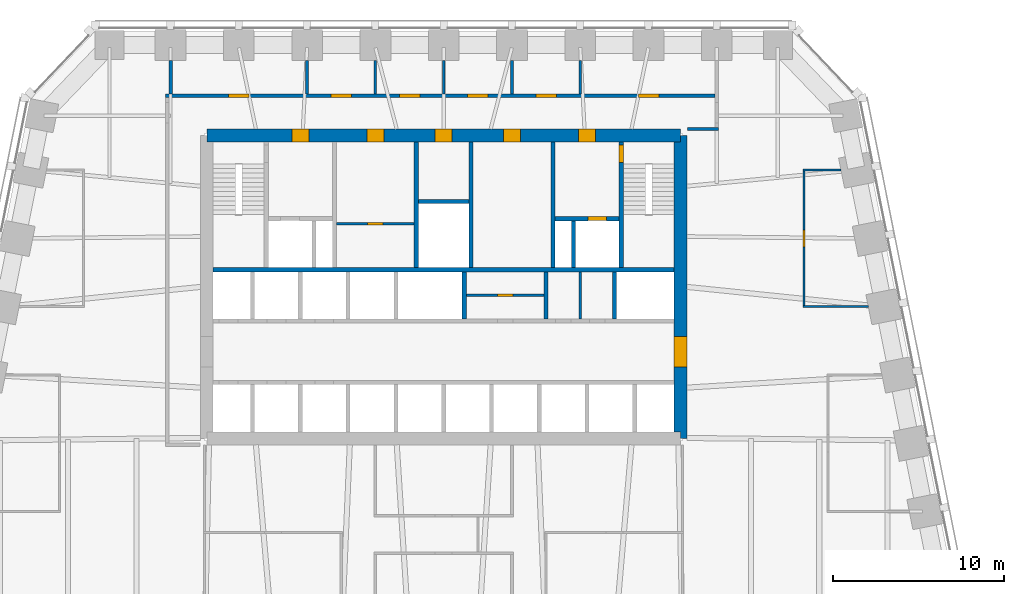
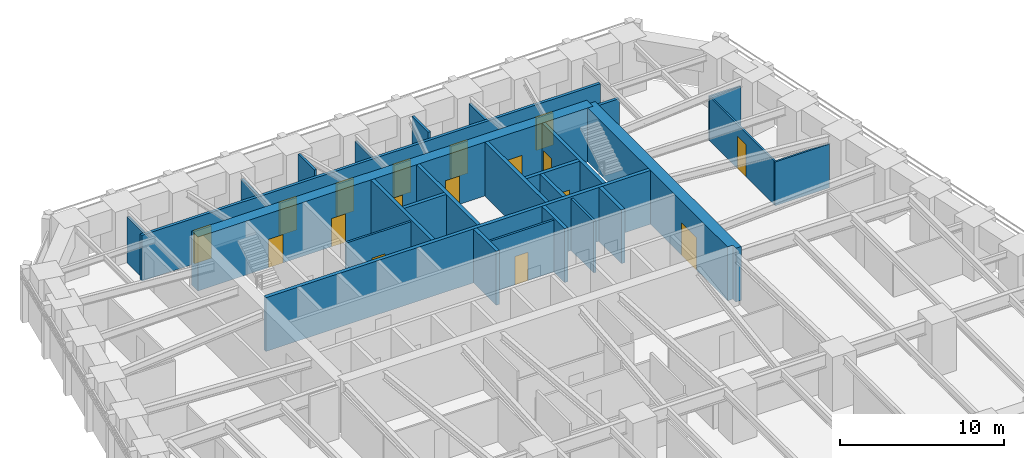
# One storey, part 7 of 10: 27 walls, 17 doors, 17 openings.
"""IFC4 building model written with IfcOpenShell, lengths in metres."""

from ifc_helpers import new_model, si_unit, direction, frame, frame_2d, origin, place, context, subcontext, project, spatial, polyline, rectangle, outline, extrude, material, layer, layer_set, type_object, element, fill, save


model = new_model("IFC4")

# Units and contexts
model_context = context("Model", 3, precision=1e-05, world=origin(), true_north=direction((0.0, 1.0)))
body_context = subcontext(model_context, "Body", "Model", "MODEL_VIEW")
ifc_project = project(units=[si_unit("LENGTHUNIT", "METRE"), si_unit("AREAUNIT", "SQUARE_METRE"), si_unit("VOLUMEUNIT", "CUBIC_METRE"), si_unit("PLANEANGLEUNIT", "RADIAN"), si_unit("MASSUNIT", "GRAM", prefix="KILO")], contexts=[model_context])

# Site, building, storey
site_placement = place(None, origin())
site = spatial("IfcSite", under=ifc_project, at=site_placement, CompositionType="ELEMENT")
building_placement = place(site_placement, origin())
building = spatial("IfcBuilding", under=site, at=building_placement, Name="Isbrekke Arena Tower", CompositionType="ELEMENT")
storey_placement = place(building_placement, frame((0.0, 0.0, 139.0)))
storey = spatial("IfcBuildingStorey", under=building, at=storey_placement, Name="L31", CompositionType="ELEMENT", Elevation=139.0)

# Wall, opening, door
ifc_material_1 = material(Name="Concrete B55 (C55/67)", Category="concrete")
ifc_layer_1 = layer(ifc_material_1, 0.75)
ifc_layer_set_1 = layer_set([ifc_layer_1], Name="CW3 CORE WALL 750")
wall_type_1 = type_object("IfcWallType", Name="CW3 CORE WALL 750", PredefinedType="SHEAR", material=ifc_layer_set_1)
wall_1_placement = place(storey_placement, frame((13.875, 6.125, 0.0), z_axis=(0.0, 0.0, 1.0), x_axis=(0.0, 1.0, 0.0)))
wall_1 = element("IfcWall", 1, at=wall_1_placement, inside=storey, type_object=wall_type_1, Name="Core wall E L31", PredefinedType="SHEAR", context=body_context, shape_type="SweptSolid", body=[
    extrude(outline(polyline([(0.0, -0.375), (17.75, -0.375), (17.75, 0.0), (17.375, 0.0), (17.375, 0.375), (0.375, 0.375), (0.375, 0.0), (0.0, 0.0), (0.0, -0.375)])), origin(), (0.0, 0.0, 1.0), 4.0),
])
opening_1_placement = place(wall_1_placement, frame((4.175048828125, 0.0, 0.0)))
opening_1 = element("IfcOpeningElement", 2, at=opening_1_placement, cuts=wall_1, Name="Opening D1", PredefinedType="OPENING", context=body_context, shape_type="SweptSolid", body=[
    extrude(rectangle(XDim=1.800048828125, YDim=2.39990234375, at=frame_2d((0.89990234375, 1.199951171875))), frame((0.0, 0.389892578125, 0.0), z_axis=(0.0, -1.0, 0.0), x_axis=(1.0, 0.0, 0.0)), (0.0, 0.0, 1.0), 0.77978515625),
])
ifc_material_2 = material(Name="Steel-framed glazed fire door", Category="steel")
door_type_1 = type_object("IfcDoorType", Name="D1 CORE LOBBY DOOR 1800 x 2400", OperationType="DOUBLE_DOOR_SINGLE_SWING", PredefinedType="DOOR", material=ifc_material_2)
door_1_placement = place(opening_1_placement, origin())
door_1 = element("IfcDoor", 3, at=door_1_placement, inside=storey, type_object=door_type_1, Name="D1 lift lobby door east L31", OperationType="DOUBLE_DOOR_SINGLE_SWING", OverallHeight=2.39990234375, OverallWidth=1.800048828125, PredefinedType="DOOR", context=body_context, shape_type="SweptSolid", body=[
    extrude(rectangle(XDim=1.800048828125, YDim=2.39990234375, at=frame_2d((0.89990234375, 1.199951171875))), frame((0.0, 0.374755859375, 0.0), z_axis=(0.0, -1.0, 0.0), x_axis=(1.0, 0.0, 0.0)), (0.0, 0.0, 1.0), 0.74951171875),
])
fill(opening_1, door_1)

# Wall, openings, doors
wall_2_placement = place(storey_placement, frame((13.875, 23.875, 0.0), z_axis=(0.0, 0.0, 1.0), x_axis=(-1.0, 0.0, 0.0)))
wall_2 = element("IfcWall", 4, at=wall_2_placement, inside=storey, type_object=wall_type_1, Name="Core wall N L31", PredefinedType="SHEAR", context=body_context, shape_type="SweptSolid", body=[
    extrude(rectangle(XDim=27.75, YDim=0.75, at=frame_2d((13.875, 0.0))), origin(), (0.0, 0.0, 1.0), 4.0),
])
opening_2_placement = place(wall_2_placement, frame((21.77490234375, 0.0, 0.0)))
opening_2 = element("IfcOpeningElement", 5, at=opening_2_placement, cuts=wall_2, Name="Opening D3", PredefinedType="OPENING", context=body_context, shape_type="SweptSolid", body=[
    extrude(rectangle(XDim=1.0, YDim=2.10009765625, at=frame_2d((0.5, 1.050048828125))), frame((0.0, 0.389892578125, 0.0), z_axis=(0.0, -1.0, 0.0), x_axis=(1.0, 0.0, 0.0)), (0.0, 0.0, 1.0), 0.77978515625),
])
opening_3_placement = place(wall_2_placement, frame((4.97509765625, 0.0, 0.0)))
opening_3 = element("IfcOpeningElement", 6, at=opening_3_placement, cuts=wall_2, Name="Opening D3", PredefinedType="OPENING", context=body_context, shape_type="SweptSolid", body=[
    extrude(rectangle(XDim=1.0, YDim=2.10009765625, at=frame_2d((0.5, 1.050048828125))), frame((0.0, 0.389892578125, 0.0), z_axis=(0.0, -1.0, 0.0), x_axis=(1.0, 0.0, 0.0)), (0.0, 0.0, 1.0), 0.77978515625),
])
opening_4_placement = place(wall_2_placement, frame((17.375, 0.0, 0.0)))
opening_4 = element("IfcOpeningElement", 7, at=opening_4_placement, cuts=wall_2, Name="Opening D4", PredefinedType="OPENING", context=body_context, shape_type="SweptSolid", body=[
    extrude(rectangle(XDim=1.0, YDim=2.10009765625, at=frame_2d((0.5, 1.050048828125))), frame((0.0, 0.389892578125, 0.0), z_axis=(0.0, -1.0, 0.0), x_axis=(1.0, 0.0, 0.0)), (0.0, 0.0, 1.0), 0.77978515625),
])
opening_5_placement = place(wall_2_placement, frame((13.375, 0.0, 0.0)))
opening_5 = element("IfcOpeningElement", 8, at=opening_5_placement, cuts=wall_2, Name="Opening D4", PredefinedType="OPENING", context=body_context, shape_type="SweptSolid", body=[
    extrude(rectangle(XDim=1.0, YDim=2.10009765625, at=frame_2d((0.5, 1.050048828125))), frame((0.0, 0.389892578125, 0.0), z_axis=(0.0, -1.0, 0.0), x_axis=(1.0, 0.0, 0.0)), (0.0, 0.0, 1.0), 0.77978515625),
])
opening_6_placement = place(wall_2_placement, frame((9.375, 0.0, 0.0)))
opening_6 = element("IfcOpeningElement", 9, at=opening_6_placement, cuts=wall_2, Name="Opening D4", PredefinedType="OPENING", context=body_context, shape_type="SweptSolid", body=[
    extrude(rectangle(XDim=1.0, YDim=2.10009765625, at=frame_2d((0.5, 1.050048828125))), frame((0.0, 0.389892578125, 0.0), z_axis=(0.0, -1.0, 0.0), x_axis=(1.0, 0.0, 0.0)), (0.0, 0.0, 1.0), 0.77978515625),
])
ifc_material_3 = material(Name="Steel fire door", Category="steel")
door_type_2 = type_object("IfcDoorType", Name="D3 FIRE LOBBY DOOR 1000 x 2100", OperationType="SINGLE_SWING_RIGHT", PredefinedType="DOOR", material=ifc_material_3)
door_2_placement = place(opening_2_placement, origin())
door_2 = element("IfcDoor", 10, at=door_2_placement, inside=storey, type_object=door_type_2, Name="D3 fire-fighting lobby door L31", OperationType="SINGLE_SWING_RIGHT", OverallHeight=2.10009765625, OverallWidth=1.0, PredefinedType="DOOR", context=body_context, shape_type="SweptSolid", body=[
    extrude(rectangle(XDim=1.0, YDim=2.10009765625, at=frame_2d((0.5, 1.050048828125))), frame((0.0, 0.374755859375, 0.0), z_axis=(0.0, -1.0, 0.0), x_axis=(1.0, 0.0, 0.0)), (0.0, 0.0, 1.0), 0.74951171875),
])
fill(opening_2, door_2)
door_3_placement = place(opening_3_placement, origin())
door_3 = element("IfcDoor", 11, at=door_3_placement, inside=storey, type_object=door_type_2, Name="D3 fire-fighting lobby door L31", OperationType="SINGLE_SWING_RIGHT", OverallHeight=2.10009765625, OverallWidth=1.0, PredefinedType="DOOR", context=body_context, shape_type="SweptSolid", body=[
    extrude(rectangle(XDim=1.0, YDim=2.10009765625, at=frame_2d((0.5, 1.050048828125))), frame((0.0, 0.374755859375, 0.0), z_axis=(0.0, -1.0, 0.0), x_axis=(1.0, 0.0, 0.0)), (0.0, 0.0, 1.0), 0.74951171875),
])
fill(opening_3, door_3)
ifc_material_4 = material(Name="Timber door", Category="wood")
door_type_3 = type_object("IfcDoorType", Name="D4 WC DOOR 1000 x 2100", OperationType="SINGLE_SWING_LEFT", PredefinedType="DOOR", material=ifc_material_4)
door_4_placement = place(opening_4_placement, origin())
door_4 = element("IfcDoor", 12, at=door_4_placement, inside=storey, type_object=door_type_3, Name="D4 wc female door L31", OperationType="SINGLE_SWING_LEFT", OverallHeight=2.10009765625, OverallWidth=1.0, PredefinedType="DOOR", context=body_context, shape_type="SweptSolid", body=[
    extrude(rectangle(XDim=1.0, YDim=2.10009765625, at=frame_2d((0.5, 1.050048828125))), frame((0.0, 0.374755859375, 0.0), z_axis=(0.0, -1.0, 0.0), x_axis=(1.0, 0.0, 0.0)), (0.0, 0.0, 1.0), 0.74951171875),
])
fill(opening_4, door_4)
door_5_placement = place(opening_5_placement, origin())
door_5 = element("IfcDoor", 13, at=door_5_placement, inside=storey, type_object=door_type_3, Name="D4 accessible wc door L31", OperationType="SINGLE_SWING_LEFT", OverallHeight=2.10009765625, OverallWidth=1.0, PredefinedType="DOOR", context=body_context, shape_type="SweptSolid", body=[
    extrude(rectangle(XDim=1.0, YDim=2.10009765625, at=frame_2d((0.5, 1.050048828125))), frame((0.0, 0.374755859375, 0.0), z_axis=(0.0, -1.0, 0.0), x_axis=(1.0, 0.0, 0.0)), (0.0, 0.0, 1.0), 0.74951171875),
])
fill(opening_5, door_5)
door_6_placement = place(opening_6_placement, origin())
door_6 = element("IfcDoor", 14, at=door_6_placement, inside=storey, type_object=door_type_3, Name="D4 wc male door L31", OperationType="SINGLE_SWING_LEFT", OverallHeight=2.10009765625, OverallWidth=1.0, PredefinedType="DOOR", context=body_context, shape_type="SweptSolid", body=[
    extrude(rectangle(XDim=1.0, YDim=2.10009765625, at=frame_2d((0.5, 1.050048828125))), frame((0.0, 0.374755859375, 0.0), z_axis=(0.0, -1.0, 0.0), x_axis=(1.0, 0.0, 0.0)), (0.0, 0.0, 1.0), 0.74951171875),
])
fill(opening_6, door_6)

# Walls
ifc_material_5 = material(Name="Concrete B45 (C45/55)", Category="concrete")
ifc_layer_2 = layer(ifc_material_5, 0.25)
ifc_layer_set_2 = layer_set([ifc_layer_2], Name="CW6 SHAFT WALL 250")
wall_type_2 = type_object("IfcWallType", Name="CW6 SHAFT WALL 250", PredefinedType="SHEAR", material=ifc_layer_set_2)
wall_3_placement = place(storey_placement, frame((-13.5, 16.0, 0.0), z_axis=(0.0, 0.0, 1.0), x_axis=(1.0, 0.0, 0.0)))
element("IfcWall", 15, at=wall_3_placement, inside=storey, type_object=wall_type_2, Name="Core wall NB L31", PredefinedType="SHEAR", context=body_context, shape_type="SweptSolid", body=[
    extrude(rectangle(XDim=27.0, YDim=0.25, at=frame_2d((13.5, 0.0))), origin(), (0.0, 0.0, 1.0), 4.0),
])
for number, where, z_axis, x_axis, name in (
    (16, (1.199951171875, 13.125, 0.0), (0.0, 0.0, 1.0), (0.0, 1.0, 0.0), "Core wall SN05 L31"),
    (17, (6.0, 13.125, 0.0), (0.0, 0.0, 1.0), (0.0, 1.0, 0.0), "Core wall SN06 L31"),
    (18, (10.0, 13.125, 0.0), (0.0, 0.0, 1.0), (0.0, 1.0, 0.0), "Core wall SN07 L31"),
):
    element("IfcWall", number, at=place(storey_placement, frame(where, z_axis=z_axis, x_axis=x_axis)), inside=storey, type_object=wall_type_2, Name=name, PredefinedType="SHEAR", context=body_context, shape_type="SweptSolid", body=[
        extrude(rectangle(XDim=2.75, YDim=0.25, at=frame_2d((1.375, 0.0))), origin(), (0.0, 0.0, 1.0), 4.0),
    ])
for number, where, z_axis, x_axis, name in (
    (19, (-1.60009765625, 16.125, 0.0), (0.0, 0.0, 1.0), (0.0, 1.0, 0.0), "Core wall NV03 L31"),
    (20, (1.60009765625, 16.125, 0.0), (0.0, 0.0, 1.0), (0.0, 1.0, 0.0), "Core wall NV04 L31"),
    (21, (6.39990234375, 16.125, 0.0), (0.0, 0.0, 1.0), (0.0, 1.0, 0.0), "Core wall NV05 L31"),
):
    element("IfcWall", number, at=place(storey_placement, frame(where, z_axis=z_axis, x_axis=x_axis)), inside=storey, type_object=wall_type_2, Name=name, PredefinedType="SHEAR", context=body_context, shape_type="SweptSolid", body=[
        extrude(rectangle(XDim=7.375, YDim=0.25, at=frame_2d((3.6875, 0.0))), origin(), (0.0, 0.0, 1.0), 4.0),
    ])

# Wall, opening, door
wall_4_placement = place(storey_placement, frame((10.39990234375, 16.125, 0.0), z_axis=(0.0, 0.0, 1.0), x_axis=(0.0, 1.0, 0.0)))
wall_4 = element("IfcWall", 22, at=wall_4_placement, inside=storey, type_object=wall_type_2, Name="Core wall NV06 L31", PredefinedType="SHEAR", context=body_context, shape_type="SweptSolid", body=[
    extrude(rectangle(XDim=7.375, YDim=0.25, at=frame_2d((3.6875, 0.0))), origin(), (0.0, 0.0, 1.0), 4.0),
])
opening_7_placement = place(wall_4_placement, frame((6.175048828125, 0.0, 0.0)))
opening_7 = element("IfcOpeningElement", 23, at=opening_7_placement, cuts=wall_4, Name="Opening D2", PredefinedType="OPENING", context=body_context, shape_type="SweptSolid", body=[
    extrude(rectangle(XDim=1.0, YDim=2.10009765625, at=frame_2d((0.5, 1.050048828125))), frame((0.0, 0.139892578125, 0.0), z_axis=(0.0, -1.0, 0.0), x_axis=(1.0, 0.0, 0.0)), (0.0, 0.0, 1.0), 0.27978515625),
])
ifc_material_6 = material(Name="Steel fire door", Category="steel")
door_type_4 = type_object("IfcDoorType", Name="D2 STAIR DOOR 1000 x 2100", OperationType="SINGLE_SWING_LEFT", PredefinedType="DOOR", material=ifc_material_6)
door_7_placement = place(opening_7_placement, origin())
door_7 = element("IfcDoor", 24, at=door_7_placement, inside=storey, type_object=door_type_4, Name="D2 stair door ST2 L31", OperationType="SINGLE_SWING_LEFT", OverallHeight=2.10009765625, OverallWidth=1.0, PredefinedType="DOOR", context=body_context, shape_type="SweptSolid", body=[
    extrude(rectangle(XDim=1.0, YDim=2.10009765625, at=frame_2d((0.5, 1.050048828125))), frame((0.0, 0.124755859375, 0.0), z_axis=(0.0, -1.0, 0.0), x_axis=(1.0, 0.0, 0.0)), (0.0, 0.0, 1.0), 0.24951171875),
])
fill(opening_7, door_7)

wall_5_placement = place(storey_placement, frame((6.52490234375, 19.0, 0.0), z_axis=(0.0, 0.0, 1.0), x_axis=(1.0, 0.0, 0.0)))
wall_5 = element("IfcWall", 25, at=wall_5_placement, inside=storey, type_object=wall_type_2, Name="Core wall NFE L31", PredefinedType="SHEAR", context=body_context, shape_type="SweptSolid", body=[
    extrude(rectangle(XDim=3.75, YDim=0.25, at=frame_2d((1.875, 0.0))), origin(), (0.0, 0.0, 1.0), 4.0),
])
opening_8_placement = place(wall_5_placement, frame((1.925048828125, 0.0, 0.0)))
opening_8 = element("IfcOpeningElement", 26, at=opening_8_placement, cuts=wall_5, Name="Opening LD2", PredefinedType="OPENING", context=body_context, shape_type="SweptSolid", body=[
    extrude(rectangle(XDim=1.10009765625, YDim=2.10009765625, at=frame_2d((0.550048828125, 1.050048828125))), frame((0.0, 0.139892578125, 0.0), z_axis=(0.0, -1.0, 0.0), x_axis=(1.0, 0.0, 0.0)), (0.0, 0.0, 1.0), 0.27978515625),
])
ifc_material_7 = material(Name="Stainless steel lift landing door", Category="steel")
door_type_5 = type_object("IfcDoorType", Name="LD2 FIRE-FIGHTING LIFT LANDING DOOR 1100 x 2100", OperationType="SLIDING_TO_RIGHT", PredefinedType="DOOR", material=ifc_material_7)
door_8_placement = place(opening_8_placement, origin())
door_8 = element("IfcDoor", 27, at=door_8_placement, inside=storey, type_object=door_type_5, Name="LD2 lift landing door LF L31", OperationType="SLIDING_TO_RIGHT", OverallHeight=2.10009765625, OverallWidth=1.10009765625, PredefinedType="DOOR", context=body_context, shape_type="SweptSolid", body=[
    extrude(rectangle(XDim=1.10009765625, YDim=2.10009765625, at=frame_2d((0.550048828125, 1.050048828125))), frame((0.0, 0.124755859375, 0.0), z_axis=(0.0, -1.0, 0.0), x_axis=(1.0, 0.0, 0.0)), (0.0, 0.0, 1.0), 0.24951171875),
])
fill(opening_8, door_8)

# Walls
wall_6_placement = place(storey_placement, frame((7.60009765625, 16.125, 0.0), z_axis=(0.0, 0.0, 1.0), x_axis=(0.0, 1.0, 0.0)))
element("IfcWall", 28, at=wall_6_placement, inside=storey, type_object=wall_type_2, Name="Core wall NFS2 L31", PredefinedType="SHEAR", context=body_context, shape_type="SweptSolid", body=[
    extrude(rectangle(XDim=2.75, YDim=0.25, at=frame_2d((1.375, 0.0))), origin(), (0.0, 0.0, 1.0), 4.0),
])
wall_7_placement = place(storey_placement, frame((-1.47509765625, 20.0, 0.0), z_axis=(0.0, 0.0, 1.0), x_axis=(1.0, 0.0, 0.0)))
element("IfcWall", 29, at=wall_7_placement, inside=storey, type_object=wall_type_2, Name="Core wall NWC L31", PredefinedType="SHEAR", context=body_context, shape_type="SweptSolid", body=[
    extrude(rectangle(XDim=2.9501953125, YDim=0.25, at=frame_2d((1.47509765625, 0.0))), origin(), (0.0, 0.0, 1.0), 4.0),
])
ifc_material_8 = material(Name="Gypsum board partition on steel studs", Category="steel")
ifc_layer_3 = layer(ifc_material_8, 0.14990234375)
ifc_layer_set_3 = layer_set([ifc_layer_3], Name="IW1 PARTITION 150")
wall_type_3 = type_object("IfcWallType", Name="IW1 PARTITION 150", PredefinedType="PARTITIONING", material=ifc_layer_set_3)
wall_8_placement = place(storey_placement, frame((-4.0, 26.300048828125, 0.0), z_axis=(0.0, 0.0, 1.0), x_axis=(0.0, 1.0, 0.0)))
element("IfcWall", 30, at=wall_8_placement, inside=storey, type_object=wall_type_3, Name="IW1 partition 150 L31", PredefinedType="PARTITIONING", context=body_context, shape_type="SweptSolid", body=[
    extrude(rectangle(XDim=1.974853515625, YDim=0.14990234375, at=frame_2d((0.9873046875, 0.0))), origin(), (0.0, 0.0, 1.0), 3.85009765625),
])
wall_9_placement = place(storey_placement, frame((0.0, 26.300048828125, 0.0), z_axis=(0.0, 0.0, 1.0), x_axis=(0.0, 1.0, 0.0)))
element("IfcWall", 31, at=wall_9_placement, inside=storey, type_object=wall_type_3, Name="IW1 partition 150 L31", PredefinedType="PARTITIONING", context=body_context, shape_type="SweptSolid", body=[
    extrude(rectangle(XDim=1.974853515625, YDim=0.14990234375, at=frame_2d((0.9873046875, 0.0))), origin(), (0.0, 0.0, 1.0), 3.39990234375),
])
ifc_material_9 = material(Name="Frameless glazed partition, laminated acoustic glass", Category="glass")
ifc_layer_4 = layer(ifc_material_9, 0.1201171875)
ifc_layer_set_4 = layer_set([ifc_layer_4], Name="IW2 GLAZED PARTITION 120")
wall_type_4 = type_object("IfcWallType", Name="IW2 GLAZED PARTITION 120", PredefinedType="PARTITIONING", material=ifc_layer_set_4)
wall_10_placement = place(storey_placement, frame((21.0400390625, 13.840087890625, 0.0), z_axis=(0.0, 0.0, 1.0), x_axis=(1.0, 0.0, 0.0)))
element("IfcWall", 32, at=wall_10_placement, inside=storey, type_object=wall_type_4, Name="IW2 glazed partition 120 L31", PredefinedType="PARTITIONING", context=body_context, shape_type="SweptSolid", body=[
    extrude(rectangle(XDim=3.832763671875, YDim=0.1201171875, at=frame_2d((1.91650390625, 0.0))), origin(), (0.0, 0.0, 1.0), 3.25),
])
wall_11_placement = place(storey_placement, frame((21.0400390625, 21.840087890625, 0.0), z_axis=(0.0, 0.0, 1.0), x_axis=(1.0, 0.0, 0.0)))
element("IfcWall", 33, at=wall_11_placement, inside=storey, type_object=wall_type_4, Name="IW2 glazed partition 120 L31", PredefinedType="PARTITIONING", context=body_context, shape_type="SweptSolid", body=[
    extrude(rectangle(XDim=2.232666015625, YDim=0.1201171875, at=frame_2d((1.1162109375, 0.0))), origin(), (0.0, 0.0, 1.0), 3.25),
])

# Wall, opening, door
wall_12_placement = place(storey_placement, frame((21.10009765625, 13.89990234375, 0.0), z_axis=(0.0, 0.0, 1.0), x_axis=(0.0, 1.0, 0.0)))
wall_12 = element("IfcWall", 34, at=wall_12_placement, inside=storey, type_object=wall_type_4, Name="IW2 glazed partition 120 L31", PredefinedType="PARTITIONING", context=body_context, shape_type="SweptSolid", body=[
    extrude(rectangle(XDim=7.880126953125, YDim=0.1201171875, at=frame_2d((3.93994140625, 0.0))), origin(), (0.0, 0.0, 1.0), 3.25),
])
opening_9_placement = place(wall_12_placement, frame((3.43994140625, 0.0, 0.0)))
opening_9 = element("IfcOpeningElement", 35, at=opening_9_placement, cuts=wall_12, Name="Opening D11", PredefinedType="OPENING", context=body_context, shape_type="SweptSolid", body=[
    extrude(rectangle(XDim=1.0, YDim=2.39990234375, at=frame_2d((0.5, 1.199951171875))), frame((0.0, 0.074951171875, 0.0), z_axis=(0.0, -1.0, 0.0), x_axis=(1.0, 0.0, 0.0)), (0.0, 0.0, 1.0), 0.14990234375),
])
ifc_material_10 = material(Name="Frameless glazed door", Category="glass")
door_type_6 = type_object("IfcDoorType", Name="D11 GLAZED MEETING ROOM DOOR 1000 x 2400", OperationType="SINGLE_SWING_RIGHT", PredefinedType="DOOR", material=ifc_material_10)
door_9_placement = place(opening_9_placement, origin())
door_9 = element("IfcDoor", 36, at=door_9_placement, inside=storey, type_object=door_type_6, Name="D11 project room door L31", OperationType="SINGLE_SWING_RIGHT", OverallHeight=2.39990234375, OverallWidth=1.0, PredefinedType="DOOR", context=body_context, shape_type="SweptSolid", body=[
    extrude(rectangle(XDim=1.0, YDim=2.39990234375, at=frame_2d((0.5, 1.199951171875))), frame((0.0, 0.059814453125, 0.0), z_axis=(0.0, -1.0, 0.0), x_axis=(1.0, 0.0, 0.0)), (0.0, 0.0, 1.0), 0.11962890625),
])
fill(opening_9, door_9)

# Wall
ifc_material_11 = material(Name="Gypsum board fire-cell wall on steel studs, two layers each side", Category="steel")
ifc_layer_5 = layer(ifc_material_11, 0.199951171875)
ifc_layer_set_5 = layer_set([ifc_layer_5], Name="IW3 FIRE-CELL WALL 200")
wall_type_5 = type_object("IfcWallType", Name="IW3 FIRE-CELL WALL 200", PredefinedType="PARTITIONING", material=ifc_layer_set_5)
wall_13_placement = place(storey_placement, frame((14.280029296875, 24.25, 0.0), z_axis=(0.0, 0.0, 1.0), x_axis=(1.0, 0.0, 0.0)))
element("IfcWall", 37, at=wall_13_placement, inside=storey, type_object=wall_type_5, Name="IW3 fire-cell wall 200 L31", PredefinedType="PARTITIONING", context=body_context, shape_type="SweptSolid", body=[
    extrude(rectangle(XDim=1.820068359375, YDim=0.199951171875, at=frame_2d((0.91015625, 0.0))), origin(), (0.0, 0.0, 1.0), 3.39990234375),
])

# Wall, openings, doors
wall_14_placement = place(storey_placement, frame((-16.300048828125, 26.199951171875, 0.0), z_axis=(0.0, 0.0, 1.0), x_axis=(1.0, 0.0, 0.0)))
wall_14 = element("IfcWall", 38, at=wall_14_placement, inside=storey, type_object=wall_type_5, Name="IW3 fire-cell wall 200 L31", PredefinedType="PARTITIONING", context=body_context, shape_type="SweptSolid", body=[
    extrude(rectangle(XDim=32.199951171875, YDim=0.199951171875, at=frame_2d((16.10009765625, 0.0))), origin(), (0.0, 0.0, 1.0), 3.39990234375),
])
opening_10_placement = place(wall_14_placement, frame((3.699951171875, 0.0, 0.0)))
opening_10 = element("IfcOpeningElement", 39, at=opening_10_placement, cuts=wall_14, Name="Opening D12", PredefinedType="OPENING", context=body_context, shape_type="SweptSolid", body=[
    extrude(rectangle(XDim=1.199951171875, YDim=2.39990234375, at=frame_2d((0.60009765625, 1.199951171875))), frame((0.0, 0.11474609375, 0.0), z_axis=(0.0, -1.0, 0.0), x_axis=(1.0, 0.0, 0.0)), (0.0, 0.0, 1.0), 0.229736328125),
])
opening_11_placement = place(wall_14_placement, frame((9.699951171875, 0.0, 0.0)))
opening_11 = element("IfcOpeningElement", 40, at=opening_11_placement, cuts=wall_14, Name="Opening D12", PredefinedType="OPENING", context=body_context, shape_type="SweptSolid", body=[
    extrude(rectangle(XDim=1.199951171875, YDim=2.39990234375, at=frame_2d((0.60009765625, 1.199951171875))), frame((0.0, 0.11474609375, 0.0), z_axis=(0.0, -1.0, 0.0), x_axis=(1.0, 0.0, 0.0)), (0.0, 0.0, 1.0), 0.229736328125),
])
opening_12_placement = place(wall_14_placement, frame((13.699951171875, 0.0, 0.0)))
opening_12 = element("IfcOpeningElement", 41, at=opening_12_placement, cuts=wall_14, Name="Opening D12", PredefinedType="OPENING", context=body_context, shape_type="SweptSolid", body=[
    extrude(rectangle(XDim=1.199951171875, YDim=2.39990234375, at=frame_2d((0.60009765625, 1.199951171875))), frame((0.0, 0.11474609375, 0.0), z_axis=(0.0, -1.0, 0.0), x_axis=(1.0, 0.0, 0.0)), (0.0, 0.0, 1.0), 0.229736328125),
])
opening_13_placement = place(wall_14_placement, frame((17.699951171875, 0.0, 0.0)))
opening_13 = element("IfcOpeningElement", 42, at=opening_13_placement, cuts=wall_14, Name="Opening D12", PredefinedType="OPENING", context=body_context, shape_type="SweptSolid", body=[
    extrude(rectangle(XDim=1.199951171875, YDim=2.39990234375, at=frame_2d((0.60009765625, 1.199951171875))), frame((0.0, 0.11474609375, 0.0), z_axis=(0.0, -1.0, 0.0), x_axis=(1.0, 0.0, 0.0)), (0.0, 0.0, 1.0), 0.229736328125),
])
opening_14_placement = place(wall_14_placement, frame((21.699951171875, 0.0, 0.0)))
opening_14 = element("IfcOpeningElement", 43, at=opening_14_placement, cuts=wall_14, Name="Opening D12", PredefinedType="OPENING", context=body_context, shape_type="SweptSolid", body=[
    extrude(rectangle(XDim=1.199951171875, YDim=2.39990234375, at=frame_2d((0.60009765625, 1.199951171875))), frame((0.0, 0.11474609375, 0.0), z_axis=(0.0, -1.0, 0.0), x_axis=(1.0, 0.0, 0.0)), (0.0, 0.0, 1.0), 0.229736328125),
])
opening_15_placement = place(wall_14_placement, frame((27.699951171875, 0.0, 0.0)))
opening_15 = element("IfcOpeningElement", 44, at=opening_15_placement, cuts=wall_14, Name="Opening D12", PredefinedType="OPENING", context=body_context, shape_type="SweptSolid", body=[
    extrude(rectangle(XDim=1.199951171875, YDim=2.39990234375, at=frame_2d((0.60009765625, 1.199951171875))), frame((0.0, 0.11474609375, 0.0), z_axis=(0.0, -1.0, 0.0), x_axis=(1.0, 0.0, 0.0)), (0.0, 0.0, 1.0), 0.229736328125),
])
ifc_material_12 = material(Name="Timber fire door with vision panel", Category="wood")
door_type_7 = type_object("IfcDoorType", Name="D12 SUITE ENTRANCE DOOR 1200 x 2400", OperationType="SINGLE_SWING_LEFT", PredefinedType="DOOR", material=ifc_material_12)
door_10_placement = place(opening_10_placement, origin())
door_10 = element("IfcDoor", 45, at=door_10_placement, inside=storey, type_object=door_type_7, Name="D12 project room door L31", OperationType="SINGLE_SWING_LEFT", OverallHeight=2.39990234375, OverallWidth=1.199951171875, PredefinedType="DOOR", context=body_context, shape_type="SweptSolid", body=[
    extrude(rectangle(XDim=1.199951171875, YDim=2.39990234375, at=frame_2d((0.60009765625, 1.199951171875))), frame((0.0, 0.099609375, 0.0), z_axis=(0.0, -1.0, 0.0), x_axis=(1.0, 0.0, 0.0)), (0.0, 0.0, 1.0), 0.199462890625),
])
fill(opening_10, door_10)
door_11_placement = place(opening_11_placement, origin())
door_11 = element("IfcDoor", 46, at=door_11_placement, inside=storey, type_object=door_type_7, Name="D12 focus room door L31", OperationType="SINGLE_SWING_LEFT", OverallHeight=2.39990234375, OverallWidth=1.199951171875, PredefinedType="DOOR", context=body_context, shape_type="SweptSolid", body=[
    extrude(rectangle(XDim=1.199951171875, YDim=2.39990234375, at=frame_2d((0.60009765625, 1.199951171875))), frame((0.0, 0.099609375, 0.0), z_axis=(0.0, -1.0, 0.0), x_axis=(1.0, 0.0, 0.0)), (0.0, 0.0, 1.0), 0.199462890625),
])
fill(opening_11, door_11)
door_12_placement = place(opening_12_placement, origin())
door_12 = element("IfcDoor", 47, at=door_12_placement, inside=storey, type_object=door_type_7, Name="D12 store door L31", OperationType="SINGLE_SWING_LEFT", OverallHeight=2.39990234375, OverallWidth=1.199951171875, PredefinedType="DOOR", context=body_context, shape_type="SweptSolid", body=[
    extrude(rectangle(XDim=1.199951171875, YDim=2.39990234375, at=frame_2d((0.60009765625, 1.199951171875))), frame((0.0, 0.099609375, 0.0), z_axis=(0.0, -1.0, 0.0), x_axis=(1.0, 0.0, 0.0)), (0.0, 0.0, 1.0), 0.199462890625),
])
fill(opening_12, door_12)
door_13_placement = place(opening_13_placement, origin())
door_13 = element("IfcDoor", 48, at=door_13_placement, inside=storey, type_object=door_type_7, Name="D12 focus room door L31", OperationType="SINGLE_SWING_LEFT", OverallHeight=2.39990234375, OverallWidth=1.199951171875, PredefinedType="DOOR", context=body_context, shape_type="SweptSolid", body=[
    extrude(rectangle(XDim=1.199951171875, YDim=2.39990234375, at=frame_2d((0.60009765625, 1.199951171875))), frame((0.0, 0.099609375, 0.0), z_axis=(0.0, -1.0, 0.0), x_axis=(1.0, 0.0, 0.0)), (0.0, 0.0, 1.0), 0.199462890625),
])
fill(opening_13, door_13)
door_14_placement = place(opening_14_placement, origin())
door_14 = element("IfcDoor", 49, at=door_14_placement, inside=storey, type_object=door_type_7, Name="D12 meeting room door L31", OperationType="SINGLE_SWING_LEFT", OverallHeight=2.39990234375, OverallWidth=1.199951171875, PredefinedType="DOOR", context=body_context, shape_type="SweptSolid", body=[
    extrude(rectangle(XDim=1.199951171875, YDim=2.39990234375, at=frame_2d((0.60009765625, 1.199951171875))), frame((0.0, 0.099609375, 0.0), z_axis=(0.0, -1.0, 0.0), x_axis=(1.0, 0.0, 0.0)), (0.0, 0.0, 1.0), 0.199462890625),
])
fill(opening_14, door_14)
door_15_placement = place(opening_15_placement, origin())
door_15 = element("IfcDoor", 50, at=door_15_placement, inside=storey, type_object=door_type_7, Name="D12 project room door L31", OperationType="SINGLE_SWING_LEFT", OverallHeight=2.39990234375, OverallWidth=1.199951171875, PredefinedType="DOOR", context=body_context, shape_type="SweptSolid", body=[
    extrude(rectangle(XDim=1.199951171875, YDim=2.39990234375, at=frame_2d((0.60009765625, 1.199951171875))), frame((0.0, 0.099609375, 0.0), z_axis=(0.0, -1.0, 0.0), x_axis=(1.0, 0.0, 0.0)), (0.0, 0.0, 1.0), 0.199462890625),
])
fill(opening_15, door_15)

# Walls
wall_15_placement = place(storey_placement, frame((-16.0, 26.300048828125, 0.0), z_axis=(0.0, 0.0, 1.0), x_axis=(0.0, 1.0, 0.0)))
element("IfcWall", 51, at=wall_15_placement, inside=storey, type_object=wall_type_5, Name="IW3 fire-cell wall 200 L31", PredefinedType="PARTITIONING", context=body_context, shape_type="SweptSolid", body=[
    extrude(rectangle(XDim=1.974853515625, YDim=0.199951171875, at=frame_2d((0.9873046875, 0.0))), origin(), (0.0, 0.0, 1.0), 3.39990234375),
])
ifc_material_13 = material(Name="Gypsum board acoustic partition on twin steel studs", Category="steel")
ifc_layer_6 = layer(ifc_material_13, 0.175048828125)
ifc_layer_set_6 = layer_set([ifc_layer_6], Name="IW4 ACOUSTIC PARTITION 175")
wall_type_6 = type_object("IfcWallType", Name="IW4 ACOUSTIC PARTITION 175", PredefinedType="PARTITIONING", material=ifc_layer_set_6)
wall_16_placement = place(storey_placement, frame((-8.0, 26.300048828125, 0.0), z_axis=(0.0, 0.0, 1.0), x_axis=(0.0, 1.0, 0.0)))
element("IfcWall", 52, at=wall_16_placement, inside=storey, type_object=wall_type_6, Name="IW4 acoustic partition 175 L31", PredefinedType="PARTITIONING", context=body_context, shape_type="SweptSolid", body=[
    extrude(rectangle(XDim=1.974853515625, YDim=0.175048828125, at=frame_2d((0.9873046875, 0.0))), origin(), (0.0, 0.0, 1.0), 3.39990234375),
])
wall_17_placement = place(storey_placement, frame((4.0, 26.300048828125, 0.0), z_axis=(0.0, 0.0, 1.0), x_axis=(0.0, 1.0, 0.0)))
element("IfcWall", 53, at=wall_17_placement, inside=storey, type_object=wall_type_6, Name="IW4 acoustic partition 175 L31", PredefinedType="PARTITIONING", context=body_context, shape_type="SweptSolid", body=[
    extrude(rectangle(XDim=1.974853515625, YDim=0.175048828125, at=frame_2d((0.9873046875, 0.0))), origin(), (0.0, 0.0, 1.0), 3.85009765625),
])
wall_18_placement = place(storey_placement, frame((8.0, 26.300048828125, 0.0), z_axis=(0.0, 0.0, 1.0), x_axis=(0.0, 1.0, 0.0)))
element("IfcWall", 54, at=wall_18_placement, inside=storey, type_object=wall_type_6, Name="IW4 acoustic partition 175 L31", PredefinedType="PARTITIONING", context=body_context, shape_type="SweptSolid", body=[
    extrude(rectangle(XDim=1.974853515625, YDim=0.175048828125, at=frame_2d((0.9873046875, 0.0))), origin(), (0.0, 0.0, 1.0), 3.39990234375),
])

# Wall, opening, door
ifc_material_14 = material(Name="Gypsum board fire-rated partition on steel studs, two layers each side", Category="steel")
ifc_layer_7 = layer(ifc_material_14, 0.14990234375)
ifc_layer_set_7 = layer_set([ifc_layer_7], Name="IW5 FIRE-RATED PARTITION 150")
wall_type_7 = type_object("IfcWallType", Name="IW5 FIRE-RATED PARTITION 150", PredefinedType="PARTITIONING", material=ifc_layer_set_7)
wall_19_placement = place(storey_placement, frame((-6.27490234375, 18.699951171875, 0.0), z_axis=(0.0, 0.0, 1.0), x_axis=(1.0, 0.0, 0.0)))
wall_19 = element("IfcWall", 55, at=wall_19_placement, inside=storey, type_object=wall_type_7, Name="IW5 fire-rated partition L31 cleaner's store F", PredefinedType="PARTITIONING", context=body_context, shape_type="SweptSolid", body=[
    extrude(rectangle(XDim=4.5498046875, YDim=0.14990234375, at=frame_2d((2.27490234375, 0.0))), origin(), (0.0, 0.0, 1.0), 3.85009765625),
])
opening_16_placement = place(wall_19_placement, frame((1.824951171875, 0.0, 0.0)))
opening_16 = element("IfcOpeningElement", 56, at=opening_16_placement, cuts=wall_19, Name="Opening D5", PredefinedType="OPENING", context=body_context, shape_type="SweptSolid", body=[
    extrude(rectangle(XDim=0.89990234375, YDim=2.10009765625, at=frame_2d((0.449951171875, 1.050048828125))), frame((0.0, 0.08984375, 0.0), z_axis=(0.0, -1.0, 0.0), x_axis=(1.0, 0.0, 0.0)), (0.0, 0.0, 1.0), 0.1796875),
])
ifc_material_15 = material(Name="Steel fire door", Category="steel")
door_type_8 = type_object("IfcDoorType", Name="D5 SERVICE DOOR 900 x 2100", OperationType="SINGLE_SWING_LEFT", PredefinedType="DOOR", material=ifc_material_15)
door_16_placement = place(opening_16_placement, origin())
door_16 = element("IfcDoor", 57, at=door_16_placement, inside=storey, type_object=door_type_8, Name="D5 cleaner's store door L31", OperationType="SINGLE_SWING_LEFT", OverallHeight=2.10009765625, OverallWidth=0.89990234375, PredefinedType="DOOR", context=body_context, shape_type="SweptSolid", body=[
    extrude(rectangle(XDim=0.89990234375, YDim=2.10009765625, at=frame_2d((0.449951171875, 1.050048828125))), frame((0.0, 0.07470703125, 0.0), z_axis=(0.0, -1.0, 0.0), x_axis=(1.0, 0.0, 0.0)), (0.0, 0.0, 1.0), 0.1494140625),
])
fill(opening_16, door_16)

wall_20_placement = place(storey_placement, frame((1.324951171875, 14.5, 0.0), z_axis=(0.0, 0.0, 1.0), x_axis=(1.0, 0.0, 0.0)))
wall_20 = element("IfcWall", 58, at=wall_20_placement, inside=storey, type_object=wall_type_7, Name="IW5 fire-rated partition L31 core service rooms 1", PredefinedType="PARTITIONING", context=body_context, shape_type="SweptSolid", body=[
    extrude(rectangle(XDim=4.550048828125, YDim=0.14990234375, at=frame_2d((2.27490234375, 0.0))), origin(), (0.0, 0.0, 1.0), 3.85009765625),
])
opening_17_placement = place(wall_20_placement, frame((1.824951171875, 0.0, 0.0)))
opening_17 = element("IfcOpeningElement", 59, at=opening_17_placement, cuts=wall_20, Name="Opening D5", PredefinedType="OPENING", context=body_context, shape_type="SweptSolid", body=[
    extrude(rectangle(XDim=0.89990234375, YDim=2.10009765625, at=frame_2d((0.449951171875, 1.050048828125))), frame((0.0, 0.08984375, 0.0), z_axis=(0.0, -1.0, 0.0), x_axis=(1.0, 0.0, 0.0)), (0.0, 0.0, 1.0), 0.1796875),
])
door_17_placement = place(opening_17_placement, origin())
door_17 = element("IfcDoor", 60, at=door_17_placement, inside=storey, type_object=door_type_8, Name="D5 store door L31", OperationType="SINGLE_SWING_LEFT", OverallHeight=2.10009765625, OverallWidth=0.89990234375, PredefinedType="DOOR", context=body_context, shape_type="SweptSolid", body=[
    extrude(rectangle(XDim=0.89990234375, YDim=2.10009765625, at=frame_2d((0.449951171875, 1.050048828125))), frame((0.0, 0.07470703125, 0.0), z_axis=(0.0, -1.0, 0.0), x_axis=(1.0, 0.0, 0.0)), (0.0, 0.0, 1.0), 0.1494140625),
])
fill(opening_17, door_17)

# Wall
wall_21_placement = place(storey_placement, frame((8.0, 13.125, 0.0), z_axis=(0.0, 0.0, 1.0), x_axis=(0.0, 1.0, 0.0)))
element("IfcWall", 61, at=wall_21_placement, inside=storey, type_object=wall_type_7, Name="IW5 fire-rated partition L31 core service rooms 2", PredefinedType="PARTITIONING", context=body_context, shape_type="SweptSolid", body=[
    extrude(rectangle(XDim=2.75, YDim=0.14990234375, at=frame_2d((1.375, 0.0))), origin(), (0.0, 0.0, 1.0), 3.85009765625),
])

save(model, "model.ifc")
